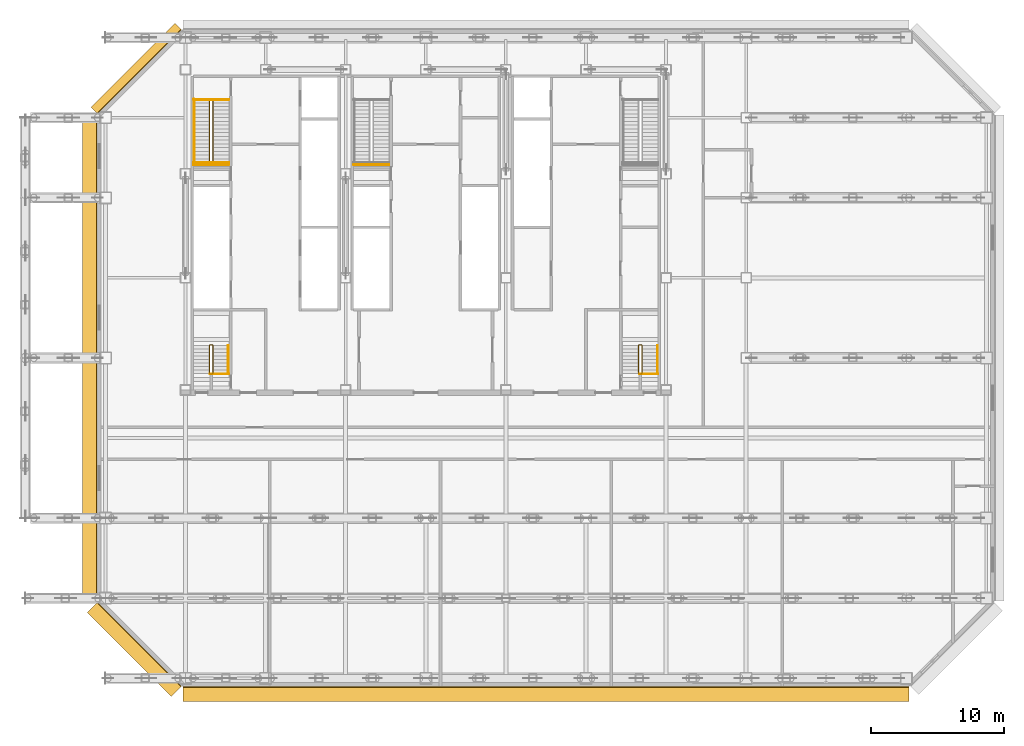
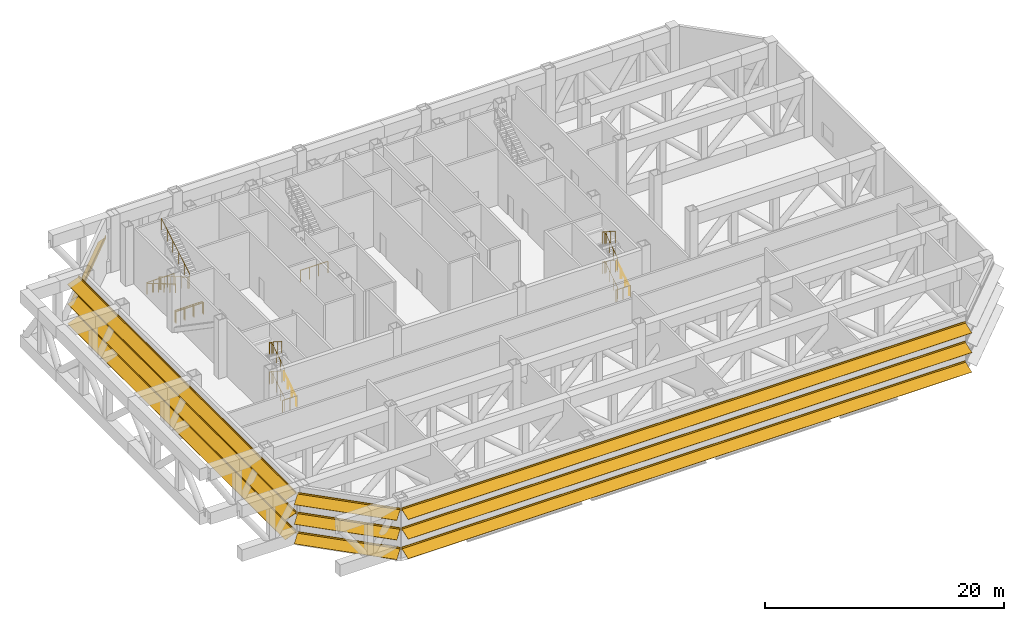
# One storey, part 16 of 17: 15 railings, 4 shading devices.
"""IFC4 building model written with IfcOpenShell, lengths in metres."""

from ifc_helpers import new_model, si_unit, direction, frame, origin, origin_2d, place, context, subcontext, project, spatial, polyline, circle, outline, composite_profile, extrude, material, type_object, element, save


model = new_model("IFC4")

# Units and contexts
model_context = context("Model", 3, precision=1e-05, world=origin(), true_north=direction((0.0, 1.0)))
body_context = subcontext(model_context, "Body", "Model", "MODEL_VIEW")
ifc_project = project(units=[si_unit("LENGTHUNIT", "METRE"), si_unit("AREAUNIT", "SQUARE_METRE"), si_unit("VOLUMEUNIT", "CUBIC_METRE"), si_unit("PLANEANGLEUNIT", "RADIAN"), si_unit("MASSUNIT", "GRAM", prefix="KILO")], contexts=[model_context])

# Site, building, storey
site_placement = place(None, origin())
site = spatial("IfcSite", under=ifc_project, at=site_placement, CompositionType="ELEMENT")
building_placement = place(site_placement, origin())
building = spatial("IfcBuilding", under=site, at=building_placement, Name="Sorahane Residences", CompositionType="ELEMENT")
storey_placement = place(building_placement, frame((0.0, 0.0, 90.199951171875)))
storey = spatial("IfcBuildingStorey", under=building, at=storey_placement, Name="L19", CompositionType="ELEMENT", Elevation=90.199951171875)

# Shading devices
ifc_material_1 = material(Name="Terracotta anodised aluminium", Category="masonry")
shading_device_type_1 = type_object("IfcShadingDeviceType", Name="Louvre sunshade blade NW terracotta aluminium 700", PredefinedType="JALOUSIE", material=ifc_material_1)
shading_device_1_placement = place(storey_placement, frame((5.716064453125, 48.564697265625, 3.0), z_axis=(-0.707106781187, -0.707106781187, 0.0), x_axis=(0.707106781187, -0.707106781187, 0.0)))
element("IfcShadingDevice", 1, at=shading_device_1_placement, inside=storey, type_object=shading_device_type_1, Name="Louvre sunshade blade bank NW L19 NW1", PredefinedType="JALOUSIE", context=body_context, shape_type="SweptSolid", body=[
    extrude(outline(polyline([(-0.719970703125, -0.660888671875), (-0.719970703125, -0.69091796875), (-0.080078125, -0.072998046875), (-0.080078125, -0.14990234375), (-0.02001953125, -0.14990234375), (-0.02001953125, -0.014892578125), (-0.02001953125, 0.014892578125), (-0.02001953125, 0.14990234375), (-0.080078125, 0.14990234375), (-0.080078125, -0.04296875), (-0.719970703125, -0.660888671875)])), origin(), (0.0, 0.0, 1.0), 8.88232421875),
])
ifc_material_2 = material(Name="Terracotta anodised aluminium", Category="masonry")
shading_device_type_2 = type_object("IfcShadingDeviceType", Name="Louvre sunshade blade S terracotta aluminium 1100", PredefinedType="JALOUSIE", material=ifc_material_2)
shading_device_2_placement = place(storey_placement, frame((5.801513671875, -0.60009765625, 1.0), z_axis=(1.0, 0.0, 0.0), x_axis=(0.0, 1.0, 0.0)))
element("IfcShadingDevice", 2, at=shading_device_2_placement, inside=storey, type_object=shading_device_type_2, Name="Louvre sunshade blade bank S L19 S1", PredefinedType="JALOUSIE", context=body_context, shape_type="SweptSolid", body=[
    extrude(composite_profile([outline(polyline([(-1.1201171875, -0.385498046875), (-1.1201171875, -0.415283203125), (-0.080078125, -0.036865234375), (-0.080078125, -0.14990234375), (-0.02001953125, -0.14990234375), (-0.02001953125, -0.014892578125), (-0.02001953125, 0.014892578125), (-0.02001953125, 0.14990234375), (-0.080078125, 0.14990234375), (-0.080078125, -0.0068359375), (-1.1201171875, -0.385498046875)])), outline(polyline([(-1.1201171875, 1.614501953125), (-1.1201171875, 1.584716796875), (-0.080078125, 1.963134765625), (-0.080078125, 1.85009765625), (-0.02001953125, 1.85009765625), (-0.02001953125, 1.985107421875), (-0.02001953125, 2.014892578125), (-0.02001953125, 2.14990234375), (-0.080078125, 2.14990234375), (-0.080078125, 1.9931640625), (-1.1201171875, 1.614501953125)])), outline(polyline([(-1.1201171875, 3.614501953125), (-1.1201171875, 3.584716796875), (-0.080078125, 3.963134765625), (-0.080078125, 3.85009765625), (-0.02001953125, 3.85009765625), (-0.02001953125, 3.985107421875), (-0.02001953125, 4.014892578125), (-0.02001953125, 4.14990234375), (-0.080078125, 4.14990234375), (-0.080078125, 3.9931640625), (-1.1201171875, 3.614501953125)]))]), origin(), (0.0, 0.0, 1.0), 54.39697265625),
])
ifc_material_3 = material(Name="Terracotta anodised aluminium", Category="masonry")
shading_device_type_3 = type_object("IfcShadingDeviceType", Name="Louvre sunshade blade SW terracotta aluminium 1100", PredefinedType="JALOUSIE", material=ifc_material_3)
shading_device_3_placement = place(storey_placement, frame((-0.564697265625, 5.716064453125, 1.0), z_axis=(0.707106781187, -0.707106781187, 0.0), x_axis=(0.707106781187, 0.707106781187, 0.0)))
element("IfcShadingDevice", 3, at=shading_device_3_placement, inside=storey, type_object=shading_device_type_3, Name="Louvre sunshade blade bank SW L19 SW1", PredefinedType="JALOUSIE", context=body_context, shape_type="SweptSolid", body=[
    extrude(composite_profile([outline(polyline([(-1.1201171875, -0.385498046875), (-1.1201171875, -0.415283203125), (-0.080078125, -0.036865234375), (-0.080078125, -0.14990234375), (-0.02001953125, -0.14990234375), (-0.02001953125, -0.014892578125), (-0.02001953125, 0.014892578125), (-0.02001953125, 0.14990234375), (-0.080078125, 0.14990234375), (-0.080078125, -0.0068359375), (-1.1201171875, -0.385498046875)])), outline(polyline([(-1.1201171875, 1.614501953125), (-1.1201171875, 1.584716796875), (-0.080078125, 1.963134765625), (-0.080078125, 1.85009765625), (-0.02001953125, 1.85009765625), (-0.02001953125, 1.985107421875), (-0.02001953125, 2.014892578125), (-0.02001953125, 2.14990234375), (-0.080078125, 2.14990234375), (-0.080078125, 1.9931640625), (-1.1201171875, 1.614501953125)])), outline(polyline([(-1.1201171875, 3.614501953125), (-1.1201171875, 3.584716796875), (-0.080078125, 3.963134765625), (-0.080078125, 3.85009765625), (-0.02001953125, 3.85009765625), (-0.02001953125, 3.985107421875), (-0.02001953125, 4.014892578125), (-0.02001953125, 4.14990234375), (-0.080078125, 4.14990234375), (-0.080078125, 3.9931640625), (-1.1201171875, 3.614501953125)]))]), origin(), (0.0, 0.0, 1.0), 8.88232421875),
])
ifc_material_4 = material(Name="Terracotta anodised aluminium", Category="masonry")
shading_device_type_4 = type_object("IfcShadingDeviceType", Name="Louvre sunshade blade W terracotta aluminium 1100", PredefinedType="JALOUSIE", material=ifc_material_4)
shading_device_4_placement = place(storey_placement, frame((-0.60009765625, 42.198486328125, 1.0), z_axis=(0.0, -1.0, 0.0), x_axis=(1.0, 0.0, 0.0)))
element("IfcShadingDevice", 4, at=shading_device_4_placement, inside=storey, type_object=shading_device_type_4, Name="Louvre sunshade blade bank W L19 W1", PredefinedType="JALOUSIE", context=body_context, shape_type="SweptSolid", body=[
    extrude(composite_profile([outline(polyline([(-1.1201171875, -0.385498046875), (-1.1201171875, -0.415283203125), (-0.080078125, -0.036865234375), (-0.080078125, -0.14990234375), (-0.02001953125, -0.14990234375), (-0.02001953125, -0.014892578125), (-0.02001953125, 0.014892578125), (-0.02001953125, 0.14990234375), (-0.080078125, 0.14990234375), (-0.080078125, -0.0068359375), (-1.1201171875, -0.385498046875)])), outline(polyline([(-1.1201171875, 1.614501953125), (-1.1201171875, 1.584716796875), (-0.080078125, 1.963134765625), (-0.080078125, 1.85009765625), (-0.02001953125, 1.85009765625), (-0.02001953125, 1.985107421875), (-0.02001953125, 2.014892578125), (-0.02001953125, 2.14990234375), (-0.080078125, 2.14990234375), (-0.080078125, 1.9931640625), (-1.1201171875, 1.614501953125)])), outline(polyline([(-1.1201171875, 3.614501953125), (-1.1201171875, 3.584716796875), (-0.080078125, 3.963134765625), (-0.080078125, 3.85009765625), (-0.02001953125, 3.85009765625), (-0.02001953125, 3.985107421875), (-0.02001953125, 4.014892578125), (-0.02001953125, 4.14990234375), (-0.080078125, 4.14990234375), (-0.080078125, 3.9931640625), (-1.1201171875, 3.614501953125)]))]), origin(), (0.0, 0.0, 1.0), 36.39697265625),
])

# Railings
ifc_material_5 = material(Name="Steel Q355B", Category="steel")
railing_type_1 = type_object("IfcRailingType", Name="Stair guard 1200 Steel Q355B", PredefinedType="GUARDRAIL", material=ifc_material_5)
railing_1_placement = place(storey_placement, frame((9.25, 38.47509765625, 0.0)))
element("IfcRailing", 5, at=railing_1_placement, inside=storey, type_object=railing_type_1, Name="L19 S1 top well guard 1", PredefinedType="GUARDRAIL", context=body_context, shape_type="SweptSolid", body=[
    extrude(circle(Radius=0.02392578125, at=origin_2d()), frame((0.0, 0.0, 1.17578125), z_axis=(-1.0, 0.0, 0.0), x_axis=(0.0, -1.0, 0.0)), (0.0, 0.0, 1.0), 2.64990234375),
    extrude(circle(Radius=0.02099609375, at=origin_2d()), origin(), (0.0, 0.0, 1.0), 1.15185546875),
    extrude(circle(Radius=0.02099609375, at=origin_2d()), frame((-0.88330078125, 0.0, 0.0)), (0.0, 0.0, 1.0), 1.15185546875),
    extrude(circle(Radius=0.02099609375, at=origin_2d()), frame((-1.7666015625, 0.0, 0.0)), (0.0, 0.0, 1.0), 1.15185546875),
    extrude(circle(Radius=0.02099609375, at=origin_2d()), frame((-2.64990234375, 0.0, 0.0)), (0.0, 0.0, 1.0), 1.15185546875),
])
railing_2_placement = place(storey_placement, frame((6.60009765625, 38.64990234375, 0.0)))
element("IfcRailing", 6, at=railing_2_placement, inside=storey, type_object=railing_type_1, Name="L19 Stair S1 edge guard", PredefinedType="GUARDRAIL", context=body_context, shape_type="SweptSolid", body=[
    extrude(circle(Radius=0.02392578125, at=origin_2d()), frame((0.0, 0.0, 1.17578125), z_axis=(1.0, 0.0, 0.0), x_axis=(0.0, 1.0, 0.0)), (0.0, 0.0, 1.0), 2.64990234375),
    extrude(circle(Radius=0.02099609375, at=origin_2d()), origin(), (0.0, 0.0, 1.0), 1.15185546875),
    extrude(circle(Radius=0.02099609375, at=origin_2d()), frame((0.88330078125, 0.0, 0.0)), (0.0, 0.0, 1.0), 1.15185546875),
    extrude(circle(Radius=0.02099609375, at=origin_2d()), frame((1.7666015625, 0.0, 0.0)), (0.0, 0.0, 1.0), 1.15185546875),
    extrude(circle(Radius=0.02099609375, at=origin_2d()), frame((2.64990234375, 0.0, 0.0)), (0.0, 0.0, 1.0), 1.15185546875),
])
for number, where, name in (
    (7, (6.60009765625, 43.35009765625, 0.0), "L19 Stair S1 edge guard"),
    (8, (7.983154296875, 43.35009765625, 0.0), "L19 Stair S1 edge guard"),
):
    element("IfcRailing", number, at=place(storey_placement, frame(where)), inside=storey, type_object=railing_type_1, Name=name, PredefinedType="GUARDRAIL", context=body_context, shape_type="SweptSolid", body=[
        extrude(circle(Radius=0.02392578125, at=origin_2d()), frame((0.0, 0.0, 1.17578125), z_axis=(1.0, 0.0, 0.0), x_axis=(0.0, 1.0, 0.0)), (0.0, 0.0, 1.0), 1.266845703125),
        extrude(circle(Radius=0.02099609375, at=origin_2d()), origin(), (0.0, 0.0, 1.0), 1.15185546875),
        extrude(circle(Radius=0.02099609375, at=origin_2d()), frame((0.63330078125, 0.0, 0.0)), (0.0, 0.0, 1.0), 1.15185546875),
        extrude(circle(Radius=0.02099609375, at=origin_2d()), frame((1.266845703125, 0.0, 0.0)), (0.0, 0.0, 1.0), 1.15185546875),
    ])
railing_3_placement = place(storey_placement, frame((8.0, 43.449951171875, 0.0)))
element("IfcRailing", 9, at=railing_3_placement, inside=storey, type_object=railing_type_1, Name="L19 S1 stair guard 1", PredefinedType="GUARDRAIL", context=body_context, shape_type="SweptSolid", body=[
    extrude(circle(Radius=0.02392578125, at=origin_2d()), frame((0.0, 0.0, 1.17578125), z_axis=(-1.0, 0.0, 0.0), x_axis=(0.0, -1.0, 0.0)), (0.0, 0.0, 1.0), 0.14990234375),
    extrude(circle(Radius=0.02392578125, at=origin_2d()), frame((-0.14990234375, 0.0, 1.17578125), z_axis=(-0.27628659633, -0.27628659633, 0.920506074601), x_axis=(0.707106781187, -0.707106781187, 0.0)), (0.0, 0.0, 1.0), 0.18115234375),
    extrude(circle(Radius=0.02392578125, at=origin_2d()), frame((-0.199951171875, -0.050048828125, 1.3427734375), z_axis=(0.0, -0.859299802514, 0.511472237174), x_axis=(1.0, 0.0, 0.0)), (0.0, 0.0, 1.0), 5.539306640625),
    extrude(circle(Radius=0.02392578125, at=origin_2d()), frame((-0.199951171875, -4.81005859375, 4.17578125), z_axis=(0.708833529934, -0.705375805398, 0.0), x_axis=(0.705375805398, 0.708833529934, 0.0)), (0.0, 0.0, 1.0), 0.070556640625),
    extrude(circle(Radius=0.02392578125, at=origin_2d()), frame((-0.14990234375, -4.85986328125, 4.17578125), z_axis=(1.0, 0.0, 0.0), x_axis=(0.0, 1.0, 0.0)), (0.0, 0.0, 1.0), 0.14990234375),
    extrude(circle(Radius=0.02392578125, at=origin_2d()), frame((0.0, -4.85986328125, 4.17578125), z_axis=(0.276389281352, 0.275041040955, 0.920848191041), x_axis=(-0.705375805398, 0.708833529934, 0.0)), (0.0, 0.0, 1.0), 0.18115234375),
    extrude(circle(Radius=0.02392578125, at=origin_2d()), frame((0.050048828125, -4.81005859375, 4.3427734375), z_axis=(0.0, 0.859299802514, 0.511472237174), x_axis=(-1.0, 0.0, 0.0)), (0.0, 0.0, 1.0), 5.539306640625),
    extrude(circle(Radius=0.02099609375, at=origin_2d()), origin(), (0.0, 0.0, 1.0), 1.15185546875),
    extrude(circle(Radius=0.02099609375, at=origin_2d()), frame((-0.14990234375, 0.0, 0.0)), (0.0, 0.0, 1.0), 1.15185546875),
    extrude(circle(Radius=0.02099609375, at=origin_2d()), frame((-0.199951171875, -0.050048828125, 0.166748046875)), (0.0, 0.0, 1.0), 1.15185546875),
    extrude(circle(Radius=0.02099609375, at=origin_2d()), frame((-0.199951171875, -1.001953125, 0.7333984375)), (0.0, 0.0, 1.0), 1.15185546875),
    extrude(circle(Radius=0.02099609375, at=origin_2d()), frame((-0.199951171875, -1.9541015625, 1.300048828125)), (0.0, 0.0, 1.0), 1.15185546875),
    extrude(circle(Radius=0.02099609375, at=origin_2d()), frame((-0.199951171875, -2.906005859375, 1.86669921875)), (0.0, 0.0, 1.0), 1.15185546875),
    extrude(circle(Radius=0.02099609375, at=origin_2d()), frame((-0.199951171875, -3.858154296875, 2.433349609375)), (0.0, 0.0, 1.0), 1.15185546875),
    extrude(circle(Radius=0.02099609375, at=origin_2d()), frame((-0.199951171875, -4.81005859375, 3.0)), (0.0, 0.0, 1.0), 1.15185546875),
    extrude(circle(Radius=0.02099609375, at=origin_2d()), frame((-0.14990234375, -4.85986328125, 3.0)), (0.0, 0.0, 1.0), 1.15185546875),
    extrude(circle(Radius=0.02099609375, at=origin_2d()), frame((0.0, -4.85986328125, 3.0)), (0.0, 0.0, 1.0), 1.15185546875),
    extrude(circle(Radius=0.02099609375, at=origin_2d()), frame((0.050048828125, -4.81005859375, 3.166748046875)), (0.0, 0.0, 1.0), 1.15185546875),
    extrude(circle(Radius=0.02099609375, at=origin_2d()), frame((0.050048828125, -3.858154296875, 3.7333984375)), (0.0, 0.0, 1.0), 1.15185546875),
    extrude(circle(Radius=0.02099609375, at=origin_2d()), frame((0.050048828125, -2.906005859375, 4.300048828125)), (0.0, 0.0, 1.0), 1.15185546875),
    extrude(circle(Radius=0.02099609375, at=origin_2d()), frame((0.050048828125, -1.9541015625, 4.86669921875)), (0.0, 0.0, 1.0), 1.15185546875),
    extrude(circle(Radius=0.02099609375, at=origin_2d()), frame((0.050048828125, -1.001953125, 5.433349609375)), (0.0, 0.0, 1.0), 1.15185546875),
    extrude(circle(Radius=0.02099609375, at=origin_2d()), frame((0.050048828125, -0.050048828125, 6.0)), (0.0, 0.0, 1.0), 1.15185546875),
])
railing_4_placement = place(storey_placement, frame((21.25, 38.47509765625, 0.0)))
element("IfcRailing", 10, at=railing_4_placement, inside=storey, type_object=railing_type_1, Name="L19 S3 top well guard 1", PredefinedType="GUARDRAIL", context=body_context, shape_type="SweptSolid", body=[
    extrude(circle(Radius=0.02392578125, at=origin_2d()), frame((0.0, 0.0, 1.17578125), z_axis=(-1.0, 0.0, 0.0), x_axis=(0.0, -1.0, 0.0)), (0.0, 0.0, 1.0), 2.64990234375),
    extrude(circle(Radius=0.02099609375, at=origin_2d()), origin(), (0.0, 0.0, 1.0), 1.15185546875),
    extrude(circle(Radius=0.02099609375, at=origin_2d()), frame((-0.88330078125, 0.0, 0.0)), (0.0, 0.0, 1.0), 1.15185546875),
    extrude(circle(Radius=0.02099609375, at=origin_2d()), frame((-1.7666015625, 0.0, 0.0)), (0.0, 0.0, 1.0), 1.15185546875),
    extrude(circle(Radius=0.02099609375, at=origin_2d()), frame((-2.64990234375, 0.0, 0.0)), (0.0, 0.0, 1.0), 1.15185546875),
])
railing_5_placement = place(storey_placement, frame((9.25, 22.800048828125, 0.0)))
element("IfcRailing", 11, at=railing_5_placement, inside=storey, type_object=railing_type_1, Name="L19 S4 top well guard 1", PredefinedType="GUARDRAIL", context=body_context, shape_type="SweptSolid", body=[
    extrude(circle(Radius=0.02392578125, at=origin_2d()), frame((0.0, 0.0, 1.17578125), z_axis=(-1.0, 0.0, 0.0), x_axis=(0.0, -1.0, 0.0)), (0.0, 0.0, 1.0), 1.39990234375),
    extrude(circle(Radius=0.02099609375, at=origin_2d()), origin(), (0.0, 0.0, 1.0), 1.15185546875),
    extrude(circle(Radius=0.02099609375, at=origin_2d()), frame((-0.699951171875, 0.0, 0.0)), (0.0, 0.0, 1.0), 1.15185546875),
    extrude(circle(Radius=0.02099609375, at=origin_2d()), frame((-1.39990234375, 0.0, 0.0)), (0.0, 0.0, 1.0), 1.15185546875),
])
railing_6_placement = place(storey_placement, frame((7.85009765625, 22.800048828125, 0.0)))
element("IfcRailing", 12, at=railing_6_placement, inside=storey, type_object=railing_type_1, Name="L19 S4 stair guard 1", PredefinedType="GUARDRAIL", context=body_context, shape_type="SweptSolid", body=[
    extrude(circle(Radius=0.02392578125, at=origin_2d()), frame((0.0, 0.0, 1.17578125), z_axis=(1.0, 0.0, 0.0), x_axis=(0.0, 1.0, 0.0)), (0.0, 0.0, 1.0), 0.14990234375),
    extrude(circle(Radius=0.02392578125, at=origin_2d()), frame((0.14990234375, 0.0, 1.17578125), z_axis=(0.27628659633, 0.27628659633, 0.920506074601), x_axis=(-0.707106781187, 0.707106781187, 0.0)), (0.0, 0.0, 1.0), 0.18115234375),
    extrude(circle(Radius=0.02392578125, at=origin_2d()), frame((0.199951171875, 0.050048828125, 1.3427734375), z_axis=(0.0, 0.84187453394, 0.539673298491), x_axis=(-1.0, 0.0, 0.0)), (0.0, 0.0, 1.0), 2.470458984375),
    extrude(circle(Radius=0.02392578125, at=origin_2d()), frame((0.199951171875, 2.1298828125, 2.67578125), z_axis=(-0.707106781187, 0.707106781187, 0.0), x_axis=(-0.707106781187, -0.707106781187, 0.0)), (0.0, 0.0, 1.0), 0.07080078125),
    extrude(circle(Radius=0.02392578125, at=origin_2d()), frame((0.14990234375, 2.179931640625, 2.67578125), z_axis=(-1.0, 0.0, 0.0), x_axis=(0.0, -1.0, 0.0)), (0.0, 0.0, 1.0), 0.14990234375),
    extrude(circle(Radius=0.02392578125, at=origin_2d()), frame((0.0, 2.179931640625, 2.67578125), z_axis=(-0.27628659633, -0.27628659633, 0.920506074601), x_axis=(0.707106781187, -0.707106781187, 0.0)), (0.0, 0.0, 1.0), 0.18115234375),
    extrude(circle(Radius=0.02392578125, at=origin_2d()), frame((-0.050048828125, 2.1298828125, 2.8427734375), z_axis=(0.0, -0.84187453394, 0.539673298491), x_axis=(1.0, 0.0, 0.0)), (0.0, 0.0, 1.0), 2.470458984375),
    extrude(circle(Radius=0.02099609375, at=origin_2d()), origin(), (0.0, 0.0, 1.0), 1.15185546875),
    extrude(circle(Radius=0.02099609375, at=origin_2d()), frame((0.14990234375, 0.0, 0.0)), (0.0, 0.0, 1.0), 1.15185546875),
    extrude(circle(Radius=0.02099609375, at=origin_2d()), frame((0.199951171875, 0.050048828125, 0.166748046875)), (0.0, 0.0, 1.0), 1.15185546875),
    extrude(circle(Radius=0.02099609375, at=origin_2d()), frame((0.199951171875, 0.743408203125, 0.611083984375)), (0.0, 0.0, 1.0), 1.15185546875),
    extrude(circle(Radius=0.02099609375, at=origin_2d()), frame((0.199951171875, 1.4365234375, 1.0556640625)), (0.0, 0.0, 1.0), 1.15185546875),
    extrude(circle(Radius=0.02099609375, at=origin_2d()), frame((0.199951171875, 2.1298828125, 1.5)), (0.0, 0.0, 1.0), 1.15185546875),
    extrude(circle(Radius=0.02099609375, at=origin_2d()), frame((0.14990234375, 2.179931640625, 1.5)), (0.0, 0.0, 1.0), 1.15185546875),
    extrude(circle(Radius=0.02099609375, at=origin_2d()), frame((0.0, 2.179931640625, 1.5)), (0.0, 0.0, 1.0), 1.15185546875),
    extrude(circle(Radius=0.02099609375, at=origin_2d()), frame((-0.050048828125, 2.1298828125, 1.666748046875)), (0.0, 0.0, 1.0), 1.15185546875),
    extrude(circle(Radius=0.02099609375, at=origin_2d()), frame((-0.050048828125, 1.4365234375, 2.111083984375)), (0.0, 0.0, 1.0), 1.15185546875),
    extrude(circle(Radius=0.02099609375, at=origin_2d()), frame((-0.050048828125, 0.743408203125, 2.5556640625)), (0.0, 0.0, 1.0), 1.15185546875),
    extrude(circle(Radius=0.02099609375, at=origin_2d()), frame((-0.050048828125, 0.050048828125, 3.0)), (0.0, 0.0, 1.0), 1.15185546875),
])
railing_7_placement = place(storey_placement, frame((7.85009765625, 22.800048828125, 3.0)))
element("IfcRailing", 13, at=railing_7_placement, inside=storey, type_object=railing_type_1, Name="L19 S4 stair guard 2", PredefinedType="GUARDRAIL", context=body_context, shape_type="SweptSolid", body=[
    extrude(circle(Radius=0.02392578125, at=origin_2d()), frame((0.0, 0.0, 1.17578125), z_axis=(1.0, 0.0, 0.0), x_axis=(0.0, 1.0, 0.0)), (0.0, 0.0, 1.0), 0.14990234375),
    extrude(circle(Radius=0.02392578125, at=origin_2d()), frame((0.14990234375, 0.0, 1.17578125), z_axis=(0.27628659633, 0.27628659633, 0.920506074601), x_axis=(-0.707106781187, 0.707106781187, 0.0)), (0.0, 0.0, 1.0), 0.18115234375),
    extrude(circle(Radius=0.02392578125, at=origin_2d()), frame((0.199951171875, 0.050048828125, 1.3427734375), z_axis=(0.0, 0.84187453394, 0.539673298491), x_axis=(-1.0, 0.0, 0.0)), (0.0, 0.0, 1.0), 2.470458984375),
    extrude(circle(Radius=0.02392578125, at=origin_2d()), frame((0.199951171875, 2.1298828125, 2.67578125), z_axis=(-0.707106781187, 0.707106781187, 0.0), x_axis=(-0.707106781187, -0.707106781187, 0.0)), (0.0, 0.0, 1.0), 0.07080078125),
    extrude(circle(Radius=0.02392578125, at=origin_2d()), frame((0.14990234375, 2.179931640625, 2.67578125), z_axis=(-1.0, 0.0, 0.0), x_axis=(0.0, -1.0, 0.0)), (0.0, 0.0, 1.0), 0.14990234375),
    extrude(circle(Radius=0.02392578125, at=origin_2d()), frame((0.0, 2.179931640625, 2.67578125), z_axis=(-0.27628659633, -0.27628659633, 0.920506074601), x_axis=(0.707106781187, -0.707106781187, 0.0)), (0.0, 0.0, 1.0), 0.18115234375),
    extrude(circle(Radius=0.02392578125, at=origin_2d()), frame((-0.050048828125, 2.1298828125, 2.8427734375), z_axis=(0.0, -0.84187453394, 0.539673298491), x_axis=(1.0, 0.0, 0.0)), (0.0, 0.0, 1.0), 2.470458984375),
    extrude(circle(Radius=0.02099609375, at=origin_2d()), origin(), (0.0, 0.0, 1.0), 1.15185546875),
    extrude(circle(Radius=0.02099609375, at=origin_2d()), frame((0.14990234375, 0.0, 0.0)), (0.0, 0.0, 1.0), 1.15185546875),
    extrude(circle(Radius=0.02099609375, at=origin_2d()), frame((0.199951171875, 0.050048828125, 0.166748046875)), (0.0, 0.0, 1.0), 1.15185546875),
    extrude(circle(Radius=0.02099609375, at=origin_2d()), frame((0.199951171875, 0.743408203125, 0.611083984375)), (0.0, 0.0, 1.0), 1.15185546875),
    extrude(circle(Radius=0.02099609375, at=origin_2d()), frame((0.199951171875, 1.4365234375, 1.0556640625)), (0.0, 0.0, 1.0), 1.15185546875),
    extrude(circle(Radius=0.02099609375, at=origin_2d()), frame((0.199951171875, 2.1298828125, 1.5)), (0.0, 0.0, 1.0), 1.15185546875),
    extrude(circle(Radius=0.02099609375, at=origin_2d()), frame((0.14990234375, 2.179931640625, 1.5)), (0.0, 0.0, 1.0), 1.15185546875),
    extrude(circle(Radius=0.02099609375, at=origin_2d()), frame((0.0, 2.179931640625, 1.5)), (0.0, 0.0, 1.0), 1.15185546875),
    extrude(circle(Radius=0.02099609375, at=origin_2d()), frame((-0.050048828125, 2.1298828125, 1.666748046875)), (0.0, 0.0, 1.0), 1.15185546875),
    extrude(circle(Radius=0.02099609375, at=origin_2d()), frame((-0.050048828125, 1.4365234375, 2.111083984375)), (0.0, 0.0, 1.0), 1.15185546875),
    extrude(circle(Radius=0.02099609375, at=origin_2d()), frame((-0.050048828125, 0.743408203125, 2.5556640625)), (0.0, 0.0, 1.0), 1.15185546875),
    extrude(circle(Radius=0.02099609375, at=origin_2d()), frame((-0.050048828125, 0.050048828125, 3.0)), (0.0, 0.0, 1.0), 1.15185546875),
])
railing_8_placement = place(storey_placement, frame((41.39990234375, 22.800048828125, 0.0)))
element("IfcRailing", 14, at=railing_8_placement, inside=storey, type_object=railing_type_1, Name="L19 S5 top well guard 1", PredefinedType="GUARDRAIL", context=body_context, shape_type="SweptSolid", body=[
    extrude(circle(Radius=0.02392578125, at=origin_2d()), frame((0.0, 0.0, 1.17578125), z_axis=(-1.0, 0.0, 0.0), x_axis=(0.0, -1.0, 0.0)), (0.0, 0.0, 1.0), 1.39990234375),
    extrude(circle(Radius=0.02099609375, at=origin_2d()), origin(), (0.0, 0.0, 1.0), 1.15185546875),
    extrude(circle(Radius=0.02099609375, at=origin_2d()), frame((-0.699951171875, 0.0, 0.0)), (0.0, 0.0, 1.0), 1.15185546875),
    extrude(circle(Radius=0.02099609375, at=origin_2d()), frame((-1.39990234375, 0.0, 0.0)), (0.0, 0.0, 1.0), 1.15185546875),
])
railing_9_placement = place(storey_placement, frame((40.0, 22.800048828125, 0.0)))
element("IfcRailing", 15, at=railing_9_placement, inside=storey, type_object=railing_type_1, Name="L19 S5 stair guard 1", PredefinedType="GUARDRAIL", context=body_context, shape_type="SweptSolid", body=[
    extrude(circle(Radius=0.02392578125, at=origin_2d()), frame((0.0, 0.0, 1.17578125), z_axis=(1.0, 0.0, 0.0), x_axis=(0.0, 1.0, 0.0)), (0.0, 0.0, 1.0), 0.14990234375),
    extrude(circle(Radius=0.02392578125, at=origin_2d()), frame((0.14990234375, 0.0, 1.17578125), z_axis=(0.27628659633, 0.27628659633, 0.920506074601), x_axis=(-0.707106781187, 0.707106781187, 0.0)), (0.0, 0.0, 1.0), 0.18115234375),
    extrude(circle(Radius=0.02392578125, at=origin_2d()), frame((0.199951171875, 0.050048828125, 1.3427734375), z_axis=(0.0, 0.84187453394, 0.539673298491), x_axis=(-1.0, 0.0, 0.0)), (0.0, 0.0, 1.0), 2.470458984375),
    extrude(circle(Radius=0.02392578125, at=origin_2d()), frame((0.199951171875, 2.1298828125, 2.67578125), z_axis=(-0.707106781187, 0.707106781187, 0.0), x_axis=(-0.707106781187, -0.707106781187, 0.0)), (0.0, 0.0, 1.0), 0.07080078125),
    extrude(circle(Radius=0.02392578125, at=origin_2d()), frame((0.14990234375, 2.179931640625, 2.67578125), z_axis=(-1.0, 0.0, 0.0), x_axis=(0.0, -1.0, 0.0)), (0.0, 0.0, 1.0), 0.14990234375),
    extrude(circle(Radius=0.02392578125, at=origin_2d()), frame((0.0, 2.179931640625, 2.67578125), z_axis=(-0.27628659633, -0.27628659633, 0.920506074601), x_axis=(0.707106781187, -0.707106781187, 0.0)), (0.0, 0.0, 1.0), 0.18115234375),
    extrude(circle(Radius=0.02392578125, at=origin_2d()), frame((-0.050048828125, 2.1298828125, 2.8427734375), z_axis=(0.0, -0.84187453394, 0.539673298491), x_axis=(1.0, 0.0, 0.0)), (0.0, 0.0, 1.0), 2.470458984375),
    extrude(circle(Radius=0.02099609375, at=origin_2d()), origin(), (0.0, 0.0, 1.0), 1.15185546875),
    extrude(circle(Radius=0.02099609375, at=origin_2d()), frame((0.14990234375, 0.0, 0.0)), (0.0, 0.0, 1.0), 1.15185546875),
    extrude(circle(Radius=0.02099609375, at=origin_2d()), frame((0.199951171875, 0.050048828125, 0.166748046875)), (0.0, 0.0, 1.0), 1.15185546875),
    extrude(circle(Radius=0.02099609375, at=origin_2d()), frame((0.199951171875, 0.743408203125, 0.611083984375)), (0.0, 0.0, 1.0), 1.15185546875),
    extrude(circle(Radius=0.02099609375, at=origin_2d()), frame((0.199951171875, 1.4365234375, 1.0556640625)), (0.0, 0.0, 1.0), 1.15185546875),
    extrude(circle(Radius=0.02099609375, at=origin_2d()), frame((0.199951171875, 2.1298828125, 1.5)), (0.0, 0.0, 1.0), 1.15185546875),
    extrude(circle(Radius=0.02099609375, at=origin_2d()), frame((0.14990234375, 2.179931640625, 1.5)), (0.0, 0.0, 1.0), 1.15185546875),
    extrude(circle(Radius=0.02099609375, at=origin_2d()), frame((0.0, 2.179931640625, 1.5)), (0.0, 0.0, 1.0), 1.15185546875),
    extrude(circle(Radius=0.02099609375, at=origin_2d()), frame((-0.050048828125, 2.1298828125, 1.666748046875)), (0.0, 0.0, 1.0), 1.15185546875),
    extrude(circle(Radius=0.02099609375, at=origin_2d()), frame((-0.050048828125, 1.4365234375, 2.111083984375)), (0.0, 0.0, 1.0), 1.15185546875),
    extrude(circle(Radius=0.02099609375, at=origin_2d()), frame((-0.050048828125, 0.743408203125, 2.5556640625)), (0.0, 0.0, 1.0), 1.15185546875),
    extrude(circle(Radius=0.02099609375, at=origin_2d()), frame((-0.050048828125, 0.050048828125, 3.0)), (0.0, 0.0, 1.0), 1.15185546875),
])
railing_10_placement = place(storey_placement, frame((40.0, 22.800048828125, 3.0)))
element("IfcRailing", 16, at=railing_10_placement, inside=storey, type_object=railing_type_1, Name="L19 S5 stair guard 2", PredefinedType="GUARDRAIL", context=body_context, shape_type="SweptSolid", body=[
    extrude(circle(Radius=0.02392578125, at=origin_2d()), frame((0.0, 0.0, 1.17578125), z_axis=(1.0, 0.0, 0.0), x_axis=(0.0, 1.0, 0.0)), (0.0, 0.0, 1.0), 0.14990234375),
    extrude(circle(Radius=0.02392578125, at=origin_2d()), frame((0.14990234375, 0.0, 1.17578125), z_axis=(0.27628659633, 0.27628659633, 0.920506074601), x_axis=(-0.707106781187, 0.707106781187, 0.0)), (0.0, 0.0, 1.0), 0.18115234375),
    extrude(circle(Radius=0.02392578125, at=origin_2d()), frame((0.199951171875, 0.050048828125, 1.3427734375), z_axis=(0.0, 0.84187453394, 0.539673298491), x_axis=(-1.0, 0.0, 0.0)), (0.0, 0.0, 1.0), 2.470458984375),
    extrude(circle(Radius=0.02392578125, at=origin_2d()), frame((0.199951171875, 2.1298828125, 2.67578125), z_axis=(-0.707106781187, 0.707106781187, 0.0), x_axis=(-0.707106781187, -0.707106781187, 0.0)), (0.0, 0.0, 1.0), 0.07080078125),
    extrude(circle(Radius=0.02392578125, at=origin_2d()), frame((0.14990234375, 2.179931640625, 2.67578125), z_axis=(-1.0, 0.0, 0.0), x_axis=(0.0, -1.0, 0.0)), (0.0, 0.0, 1.0), 0.14990234375),
    extrude(circle(Radius=0.02392578125, at=origin_2d()), frame((0.0, 2.179931640625, 2.67578125), z_axis=(-0.27628659633, -0.27628659633, 0.920506074601), x_axis=(0.707106781187, -0.707106781187, 0.0)), (0.0, 0.0, 1.0), 0.18115234375),
    extrude(circle(Radius=0.02392578125, at=origin_2d()), frame((-0.050048828125, 2.1298828125, 2.8427734375), z_axis=(0.0, -0.84187453394, 0.539673298491), x_axis=(1.0, 0.0, 0.0)), (0.0, 0.0, 1.0), 2.470458984375),
    extrude(circle(Radius=0.02099609375, at=origin_2d()), origin(), (0.0, 0.0, 1.0), 1.15185546875),
    extrude(circle(Radius=0.02099609375, at=origin_2d()), frame((0.14990234375, 0.0, 0.0)), (0.0, 0.0, 1.0), 1.15185546875),
    extrude(circle(Radius=0.02099609375, at=origin_2d()), frame((0.199951171875, 0.050048828125, 0.166748046875)), (0.0, 0.0, 1.0), 1.15185546875),
    extrude(circle(Radius=0.02099609375, at=origin_2d()), frame((0.199951171875, 0.743408203125, 0.611083984375)), (0.0, 0.0, 1.0), 1.15185546875),
    extrude(circle(Radius=0.02099609375, at=origin_2d()), frame((0.199951171875, 1.4365234375, 1.0556640625)), (0.0, 0.0, 1.0), 1.15185546875),
    extrude(circle(Radius=0.02099609375, at=origin_2d()), frame((0.199951171875, 2.1298828125, 1.5)), (0.0, 0.0, 1.0), 1.15185546875),
    extrude(circle(Radius=0.02099609375, at=origin_2d()), frame((0.14990234375, 2.179931640625, 1.5)), (0.0, 0.0, 1.0), 1.15185546875),
    extrude(circle(Radius=0.02099609375, at=origin_2d()), frame((0.0, 2.179931640625, 1.5)), (0.0, 0.0, 1.0), 1.15185546875),
    extrude(circle(Radius=0.02099609375, at=origin_2d()), frame((-0.050048828125, 2.1298828125, 1.666748046875)), (0.0, 0.0, 1.0), 1.15185546875),
    extrude(circle(Radius=0.02099609375, at=origin_2d()), frame((-0.050048828125, 1.4365234375, 2.111083984375)), (0.0, 0.0, 1.0), 1.15185546875),
    extrude(circle(Radius=0.02099609375, at=origin_2d()), frame((-0.050048828125, 0.743408203125, 2.5556640625)), (0.0, 0.0, 1.0), 1.15185546875),
    extrude(circle(Radius=0.02099609375, at=origin_2d()), frame((-0.050048828125, 0.050048828125, 3.0)), (0.0, 0.0, 1.0), 1.15185546875),
])
ifc_material_6 = material(Name="Steel Q355B", Category="steel")
railing_type_2 = type_object("IfcRailingType", Name="Stair handrail 900 Steel Q355B", PredefinedType="HANDRAIL", material=ifc_material_6)
railing_11_placement = place(storey_placement, frame((6.64990234375, 43.39990234375, 0.166748046875)))
element("IfcRailing", 17, at=railing_11_placement, inside=storey, type_object=railing_type_2, Name="L19 S1 stair handrail 1", PredefinedType="HANDRAIL", context=body_context, shape_type="SweptSolid", body=[
    extrude(circle(Radius=0.02392578125, at=origin_2d()), frame((0.0, 0.0, 0.8759765625), z_axis=(0.0, -0.859299802514, 0.511472237174), x_axis=(1.0, 0.0, 0.0)), (0.0, 0.0, 1.0), 5.539306640625),
    extrude(circle(Radius=0.02099609375, at=origin_2d()), origin(), (0.0, 0.0, 1.0), 0.851806640625),
    extrude(circle(Radius=0.02099609375, at=origin_2d()), frame((0.0, -0.951904296875, 0.566650390625)), (0.0, 0.0, 1.0), 0.851806640625),
    extrude(circle(Radius=0.02099609375, at=origin_2d()), frame((0.0, -1.904052734375, 1.13330078125)), (0.0, 0.0, 1.0), 0.851806640625),
    extrude(circle(Radius=0.02099609375, at=origin_2d()), frame((0.0, -2.85595703125, 1.699951171875)), (0.0, 0.0, 1.0), 0.851806640625),
    extrude(circle(Radius=0.02099609375, at=origin_2d()), frame((0.0, -3.80810546875, 2.2666015625)), (0.0, 0.0, 1.0), 0.851806640625),
    extrude(circle(Radius=0.02099609375, at=origin_2d()), frame((0.0, -4.760009765625, 2.833251953125)), (0.0, 0.0, 1.0), 0.851806640625),
])
for number, where, name in (
    (18, (9.199951171875, 22.85009765625, 0.166748046875), "L19 S4 stair handrail 1"),
    (19, (41.35009765625, 22.85009765625, 0.166748046875), "L19 S5 stair handrail 1"),
):
    element("IfcRailing", number, at=place(storey_placement, frame(where)), inside=storey, type_object=railing_type_2, Name=name, PredefinedType="HANDRAIL", context=body_context, shape_type="SweptSolid", body=[
        extrude(circle(Radius=0.02392578125, at=origin_2d()), frame((0.0, 0.0, 0.8759765625), z_axis=(0.0, 0.84187453394, 0.539673298491), x_axis=(-1.0, 0.0, 0.0)), (0.0, 0.0, 1.0), 2.470458984375),
        extrude(circle(Radius=0.02099609375, at=origin_2d()), origin(), (0.0, 0.0, 1.0), 0.851806640625),
        extrude(circle(Radius=0.02099609375, at=origin_2d()), frame((0.0, 0.693359375, 0.4443359375)), (0.0, 0.0, 1.0), 0.851806640625),
        extrude(circle(Radius=0.02099609375, at=origin_2d()), frame((0.0, 1.386474609375, 0.888916015625)), (0.0, 0.0, 1.0), 0.851806640625),
        extrude(circle(Radius=0.02099609375, at=origin_2d()), frame((0.0, 2.079833984375, 1.333251953125)), (0.0, 0.0, 1.0), 0.851806640625),
    ])

save(model, "model.ifc")
